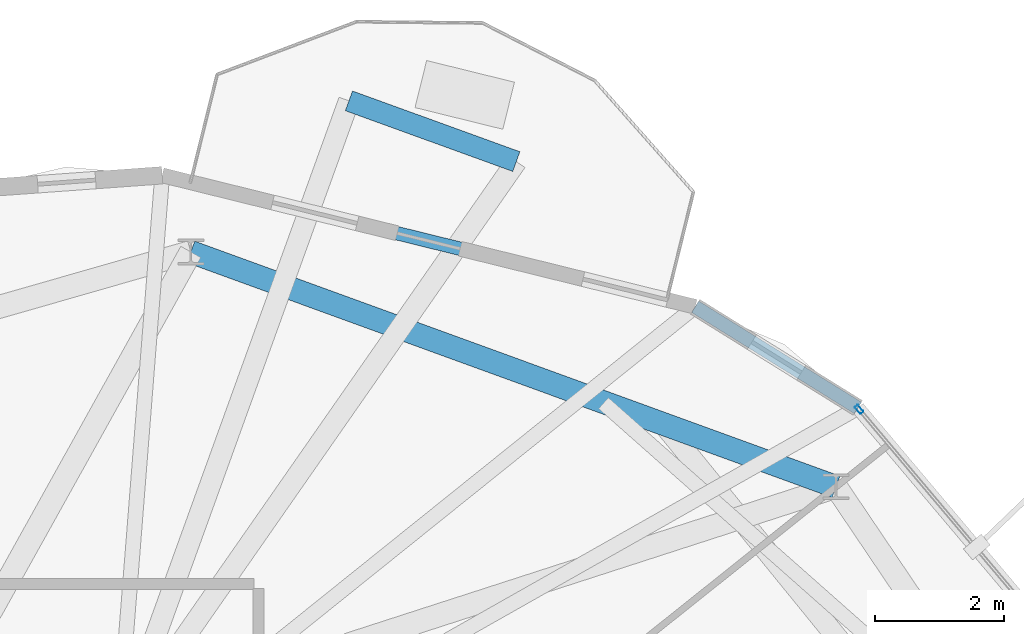
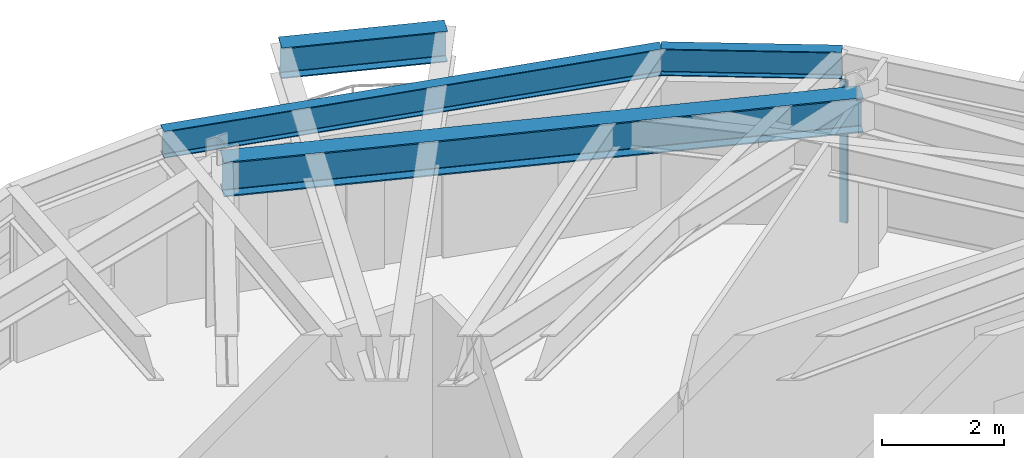
# One storey, part 19 of 26: 4 beams, 1 member, 1 element without a shape of its own.
"""IFC4 building model written with IfcOpenShell, lengths in metres."""

from ifc_helpers import new_model, si_unit, direction, frame, origin, origin_2d, place, context, subcontext, project, spatial, hollow_rectangle, i_section, extrude, material, layer, layer_set, material_profile, profile_set, type_object, element, aggregate, save


model = new_model("IFC4")

# Units and contexts
model_context = context("Model", 3, precision=1e-05, world=origin(), true_north=direction((0.0, 1.0)))
body_context = subcontext(model_context, "Body", "Model", "MODEL_VIEW")
ifc_project = project(units=[si_unit("LENGTHUNIT", "METRE"), si_unit("AREAUNIT", "SQUARE_METRE"), si_unit("VOLUMEUNIT", "CUBIC_METRE"), si_unit("PLANEANGLEUNIT", "RADIAN"), si_unit("MASSUNIT", "GRAM", prefix="KILO")], contexts=[model_context])

# Site, building, storey
site_placement = place(None, origin())
site = spatial("IfcSite", under=ifc_project, at=site_placement, CompositionType="ELEMENT")
building_placement = place(site_placement, origin())
building = spatial("IfcBuilding", under=site, at=building_placement, Name="Soratama Intermodal Tower", CompositionType="ELEMENT")
storey_placement = place(building_placement, frame((0.0, 0.0, 246.25)))
storey = spatial("IfcBuildingStorey", under=building, at=storey_placement, Name="L62", CompositionType="ELEMENT", Elevation=246.25)

# Beams
ifc_material_1 = material(Name="Structural steel ASTM A992 Grade 50", Category="steel")
ifc_material_profile_1 = material_profile(ifc_material_1, i_section(OverallWidth=0.324951171875, OverallDepth=0.615966796875, WebThickness=0.013916015625, FlangeThickness=0.021484375, FilletRadius=0.013916015625, at=origin_2d()), Name="W24X117")
ifc_profile_set_1 = profile_set([ifc_material_profile_1], Name="Structural steel ASTM A992 Grade 50")
beam_type_1 = type_object("IfcBeamType", Name="BM-CANT-W24X117", PredefinedType="BEAM", material=ifc_profile_set_1)
beam_1_placement = place(storey_placement, frame((50.639892578125, 43.589111328125, 3.14208984375), z_axis=(-0.940087822569, 0.34093237725, 0.0), x_axis=(-0.34093237725, -0.940087822569, 0.0)))
element("IfcBeam", 1, at=beam_1_placement, inside=storey, type_object=beam_type_1, Name="BM-L62-CBHDR-2", PredefinedType="BEAM", context=body_context, shape_type="SweptSolid", body=[
    extrude(i_section(OverallWidth=0.324951171875, OverallDepth=0.615966796875, WebThickness=0.013916015625, FlangeThickness=0.021484375, FilletRadius=0.013916015625, at=origin_2d()), origin(), (0.0, 0.0, 1.0), 2.757080078125),
])
ifc_material_2 = material(Name="Structural steel ASTM A992 Grade 50", Category="steel")
ifc_material_profile_2 = material_profile(ifc_material_2, i_section(OverallWidth=0.35498046875, OverallDepth=0.695068359375, WebThickness=0.015380859375, FlangeThickness=0.02490234375, FilletRadius=0.01611328125, at=origin_2d()), Name="W27X146")
ifc_profile_set_2 = profile_set([ifc_material_profile_2], Name="Structural steel ASTM A992 Grade 50")
beam_type_2 = type_object("IfcBeamType", Name="BM-RING-W27X146", PredefinedType="BEAM", material=ifc_profile_set_2)
beam_2_placement = place(storey_placement, frame((55.589111328125, 38.553955078125, 3.1025390625), z_axis=(-0.939684073866, 0.342043624883, 0.0), x_axis=(-0.342043624883, -0.939684073866, 0.0)))
element("IfcBeam", 2, at=beam_2_placement, inside=storey, type_object=beam_type_2, Name="BM-L62-RING-02", PredefinedType="BEAM", context=body_context, shape_type="SweptSolid", body=[
    extrude(i_section(OverallWidth=0.35498046875, OverallDepth=0.695068359375, WebThickness=0.015380859375, FlangeThickness=0.02490234375, FilletRadius=0.01611328125, at=origin_2d()), origin(), (0.0, 0.0, 1.0), 10.630126953125),
])
ifc_material_3 = material(Name="Structural steel ASTM A992 Grade 50", Category="steel")
ifc_material_profile_3 = material_profile(ifc_material_3, i_section(OverallWidth=0.2099609375, OverallDepth=0.537109375, WebThickness=0.010986328125, FlangeThickness=0.017333984375, FilletRadius=0.012939453125, at=origin_2d()), Name="W21X68")
ifc_profile_set_3 = profile_set([ifc_material_profile_3], Name="Structural steel ASTM A992 Grade 50")
beam_type_3 = type_object("IfcBeamType", Name="BM-SPN-W21X68", PredefinedType="SPANDREL", material=ifc_profile_set_3)
beam_3_placement = place(storey_placement, frame((53.408935546875, 41.341064453125, 3.181396484375), z_axis=(-0.970888075298, 0.239533599406, 0.0), x_axis=(-0.239533599406, -0.970888075298, 0.0)))
element("IfcBeam", 3, at=beam_3_placement, inside=storey, type_object=beam_type_3, Name="BS-L62-F01", PredefinedType="SPANDREL", context=body_context, shape_type="SweptSolid", body=[
    extrude(i_section(OverallWidth=0.2099609375, OverallDepth=0.537109375, WebThickness=0.010986328125, FlangeThickness=0.017333984375, FilletRadius=0.012939453125, at=origin_2d()), origin(), (0.0, 0.0, 1.0), 8.499267578125),
])
beam_4_placement = place(storey_placement, frame((55.928955078125, 39.77490234375, 3.181396484375), z_axis=(-0.849336174465, 0.527852311489, 0.0), x_axis=(-0.527852311489, -0.849336174465, 0.0)))
element("IfcBeam", 4, at=beam_4_placement, inside=storey, type_object=beam_type_3, Name="BS-L62-CRN10", PredefinedType="SPANDREL", context=body_context, shape_type="SweptSolid", body=[
    extrude(i_section(OverallWidth=0.2099609375, OverallDepth=0.537109375, WebThickness=0.010986328125, FlangeThickness=0.017333984375, FilletRadius=0.012939453125, at=origin_2d()), origin(), (0.0, 0.0, 1.0), 2.967041015625),
])

# Curtain wall, member
ifc_material_4 = material(Name="Double-glazed aluminium curtain wall", Category="aluminium")
ifc_layer = layer(ifc_material_4, 0.159912109375)
ifc_layer_set = layer_set([ifc_layer], Name="Double-glazed aluminium curtain wall")
curtain_wall_type = type_object("IfcCurtainWallType", Name="CW-SYS-5", PredefinedType="NOTDEFINED", material=ifc_layer_set)
curtain_wall_placement = place(storey_placement, origin())
curtain_wall = element("IfcCurtainWall", 5, at=curtain_wall_placement, inside=storey, type_object=curtain_wall_type, Name="L62 Faceted Curtain Wall F10", PredefinedType="NOTDEFINED")
ifc_material_5 = material(Name="Anodised aluminium AA 6063-T6", Category="aluminium")
ifc_material_profile_4 = material_profile(ifc_material_5, hollow_rectangle(XDim=0.06494140625, YDim=0.139892578125, WallThickness=0.0048828125, InnerFilletRadius=0.0048828125, OuterFilletRadius=0.010009765625, at=origin_2d()), Name="CWM140X65X5")
ifc_profile_set_4 = profile_set([ifc_material_profile_4], Name="Anodised aluminium AA 6063-T6")
member_type = type_object("IfcMemberType", Name="MT-CWM-5", PredefinedType="MULLION", material=ifc_profile_set_4)
member_placement = place(storey_placement, frame((55.9482421875, 39.75244140625, 0.0), z_axis=(0.0, 0.0, 1.0), x_axis=(-0.764466500912, -0.644663454047, 0.0)))
member = element("IfcMember", 6, at=member_placement, type_object=member_type, Name="CW-5 mullion 2", PredefinedType="MULLION", context=body_context, shape_type="SweptSolid", body=[
    extrude(hollow_rectangle(XDim=0.06494140625, YDim=0.139892578125, WallThickness=0.0048828125, InnerFilletRadius=0.0048828125, OuterFilletRadius=0.010009765625, at=origin_2d()), origin(), (0.0, 0.0, 1.0), 2.8291015625),
])
aggregate(curtain_wall, [member])

save(model, "model.ifc")
